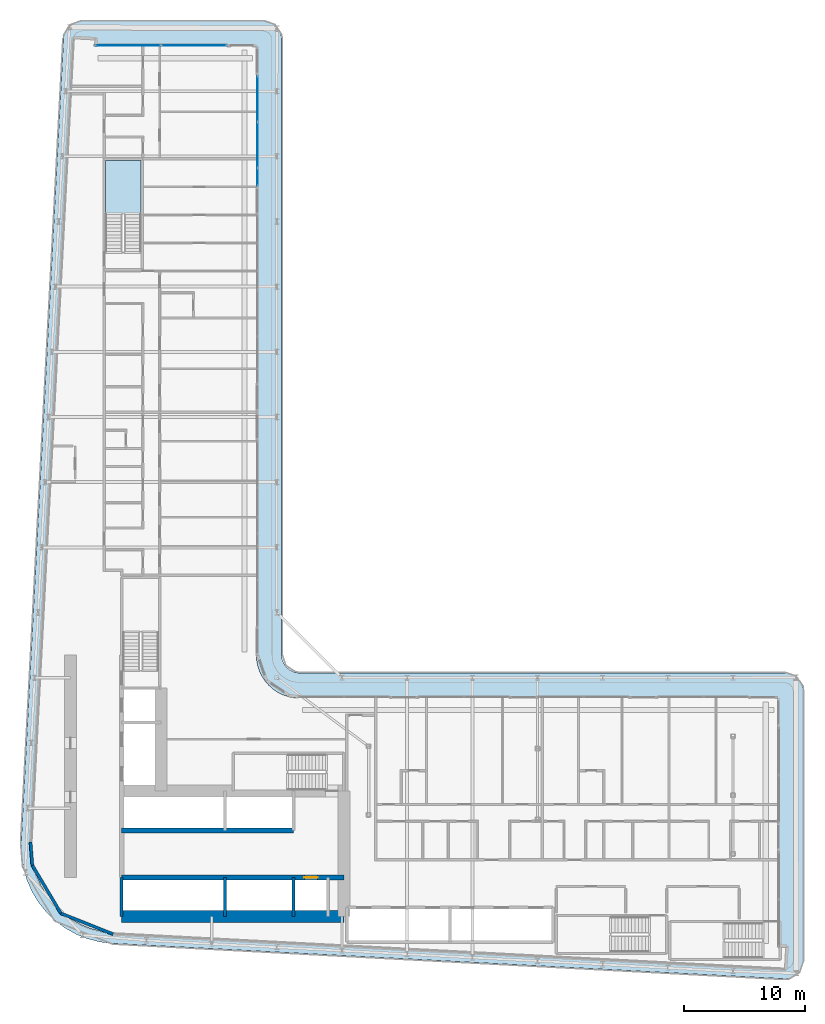
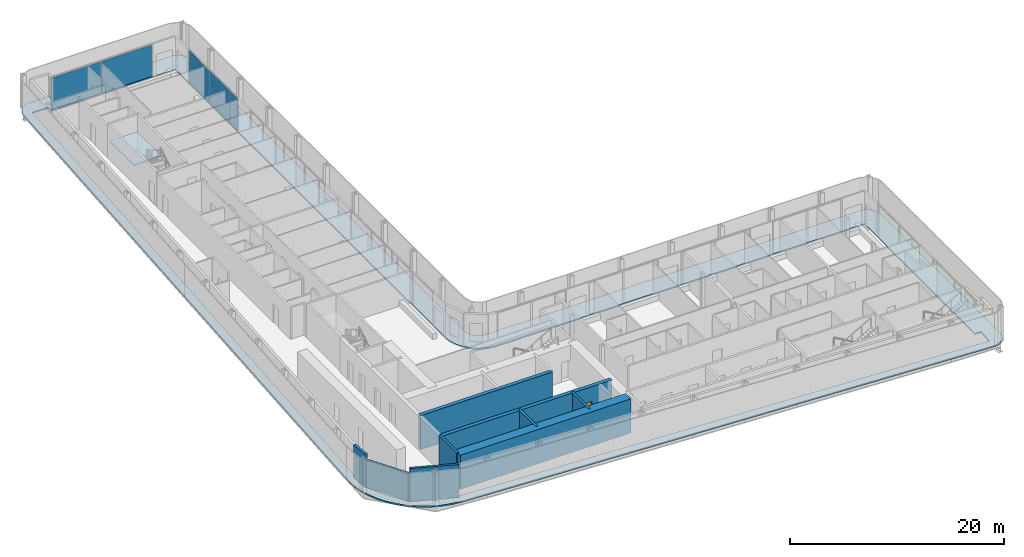
# One storey, part 11 of 25: 9 walls, 5 plates, 2 slabs, 1 door, 1 opening, 4 elements without a shape of their own.
"""IFC4 building model written with IfcOpenShell, lengths in metres."""

from ifc_helpers import new_model, si_unit, direction, frame, frame_2d, origin, origin_2d, place, context, subcontext, project, spatial, polyline, rectangle, outline, extrude, source, transform, mapped, material, layer, layer_set, type_object, element, fill, aggregate, save


model = new_model("IFC4")

# Units and contexts
model_context = context("Model", 3, precision=1e-05, world=origin(), true_north=direction((0.0, 1.0)))
body_context = subcontext(model_context, "Body", "Model", "MODEL_VIEW")
ifc_project = project(units=[si_unit("LENGTHUNIT", "METRE"), si_unit("AREAUNIT", "SQUARE_METRE"), si_unit("VOLUMEUNIT", "CUBIC_METRE"), si_unit("PLANEANGLEUNIT", "RADIAN"), si_unit("MASSUNIT", "GRAM", prefix="KILO")], contexts=[model_context])

# Site, building, storey
site_placement = place(None, origin())
site = spatial("IfcSite", under=ifc_project, at=site_placement, CompositionType="ELEMENT")
building_placement = place(site_placement, origin())
building = spatial("IfcBuilding", under=site, at=building_placement, Name="Kheshtan School and Residences Tower", CompositionType="ELEMENT")
storey_placement = place(building_placement, frame((0.0, 0.0, 34.39990234375)))
storey = spatial("IfcBuildingStorey", under=building, at=storey_placement, Name="L07", CompositionType="ELEMENT", Elevation=34.39990234375)

# Curtain wall, plates
ifc_material_1 = material(Name="Clear low-e glass in thermally broken aluminium frame", Category="aluminium")
ifc_layer_1 = layer(ifc_material_1, 0.199951171875)
ifc_layer_set_1 = layer_set([ifc_layer_1], Name="Curtain wall CW-L")
curtain_wall_type = type_object("IfcCurtainWallType", Name="Curtain wall CW-L", PredefinedType="NOTDEFINED", material=ifc_layer_set_1)
curtain_wall_1_placement = place(storey_placement, origin())
curtain_wall_1 = element("IfcCurtainWall", 1, at=curtain_wall_1_placement, inside=storey, type_object=curtain_wall_type, Name="Curtain wall CWL7", PredefinedType="NOTDEFINED")
ifc_layer_2 = layer(ifc_material_1, 0.031982421875)
ifc_layer_set_2 = layer_set([ifc_layer_2], Name="CW-L glass panel")
plate_type = type_object("IfcPlateType", Name="CW-L glass panel", PredefinedType="CURTAIN_PANEL", material=ifc_layer_set_2)
plate_1_placement = place(storey_placement, frame((35.259033203125, 98.0, 0.000244140625), z_axis=(0.0, 0.0, 1.0), x_axis=(1.0, 0.0, 0.0)))
plate_1 = element("IfcPlate", 2, at=plate_1_placement, type_object=plate_type, Name="CWL7 panel 1.1", PredefinedType="CURTAIN_PANEL", context=body_context, shape_type="SweptSolid", body=[
    extrude(rectangle(XDim=5.4140625, YDim=0.031982421875, at=origin_2d()), origin(), (0.0, 0.0, 1.0), 3.6298828125),
])
plate_2_placement = place(storey_placement, frame((40.73291015625, 98.0, 0.000244140625), z_axis=(0.0, 0.0, 1.0), x_axis=(1.0, 0.0, 0.0)))
plate_2 = element("IfcPlate", 3, at=plate_2_placement, type_object=plate_type, Name="CWL7 panel 2.1", PredefinedType="CURTAIN_PANEL", context=body_context, shape_type="SweptSolid", body=[
    extrude(rectangle(XDim=5.4140625, YDim=0.031982421875, at=origin_2d()), origin(), (0.0, 0.0, 1.0), 3.6298828125),
])
aggregate(curtain_wall_1, [plate_1, plate_2])

curtain_wall_2_placement = place(storey_placement, origin())
curtain_wall_2 = element("IfcCurtainWall", 4, at=curtain_wall_2_placement, inside=storey, type_object=curtain_wall_type, Name="Curtain wall CWL8", PredefinedType="NOTDEFINED")
plate_3_placement = place(storey_placement, frame((46.0, 93.5615234375, 0.000244140625), z_axis=(0.0, 0.0, 1.0), x_axis=(0.0, -1.0, 0.0)))
plate_3 = element("IfcPlate", 5, at=plate_3_placement, type_object=plate_type, Name="CWL8 panel 1.1", PredefinedType="CURTAIN_PANEL", context=body_context, shape_type="SweptSolid", body=[
    extrude(rectangle(XDim=3.757080078125, YDim=0.031982421875, at=origin_2d()), origin(), (0.0, 0.0, 1.0), 3.6298828125),
])
plate_4_placement = place(storey_placement, frame((46.0, 89.744384765625, 0.000244140625), z_axis=(0.0, 0.0, 1.0), x_axis=(0.0, -1.0, 0.0)))
plate_4 = element("IfcPlate", 6, at=plate_4_placement, type_object=plate_type, Name="CWL8 panel 2.1", PredefinedType="CURTAIN_PANEL", context=body_context, shape_type="SweptSolid", body=[
    extrude(rectangle(XDim=3.757080078125, YDim=0.031982421875, at=origin_2d()), origin(), (0.0, 0.0, 1.0), 3.6298828125),
])
aggregate(curtain_wall_2, [plate_3, plate_4])

# Curtain wall, plate
curtain_wall_3_placement = place(storey_placement, origin())
curtain_wall_3 = element("IfcCurtainWall", 7, at=curtain_wall_3_placement, inside=storey, type_object=curtain_wall_type, Name="Curtain wall CWL8a", PredefinedType="NOTDEFINED")
plate_5_placement = place(storey_placement, frame((46.0, 87.0859375, 0.000244140625), z_axis=(0.0, 0.0, 1.0), x_axis=(0.0, -1.0, 0.0)))
plate_5 = element("IfcPlate", 8, at=plate_5_placement, type_object=plate_type, Name="CWL8a panel 1.1", PredefinedType="CURTAIN_PANEL", context=body_context, shape_type="SweptSolid", body=[
    extrude(rectangle(XDim=1.43994140625, YDim=0.031982421875, at=origin_2d()), origin(), (0.0, 0.0, 1.0), 3.6298828125),
])
aggregate(curtain_wall_3, [plate_5])

# Slab
ifc_material_2 = material(Name="Concrete C40/50", Category="concrete")
ifc_layer_3 = layer(ifc_material_2, 0.14990234375)
ifc_layer_set_3 = layer_set([ifc_layer_3], Name="Loggia balcony slab 150 Concrete C40/50")
slab_type_1 = type_object("IfcSlabType", Name="Loggia balcony slab 150 Concrete C40/50", PredefinedType="FLOOR", material=ifc_layer_set_3)
slab_1_placement = place(storey_placement, frame((0.0, 0.0, -0.14990234375)))
element("IfcSlab", 9, at=slab_1_placement, inside=storey, type_object=slab_type_1, Name="Loggia balcony slab L07", PredefinedType="FLOOR", context=body_context, shape_type="SweptSolid", body=[
    extrude(outline(polyline([(28.4580078125, 26.222900390625), (28.45703125, 26.222900390625), (28.45703125, 26.22412109375), (28.4560546875, 26.22412109375), (27.81494140625, 27.0390625), (27.281005859375, 27.93798828125), (26.867919921875, 28.89990234375), (26.583984375, 29.89990234375), (26.583984375, 29.906982421875), (26.43408203125, 30.943115234375), (26.419921875, 31.989013671875), (29.925048828125, 98.5791015625), (29.930908203125, 98.626953125), (29.930908203125, 98.6279296875), (29.929931640625, 98.6279296875), (29.929931640625, 98.62890625), (29.928955078125, 98.62890625), (29.928955078125, 98.6298828125), (29.927978515625, 98.6298828125), (29.927978515625, 98.631103515625), (29.927001953125, 98.631103515625), (29.927001953125, 98.632080078125), (29.927001953125, 98.633056640625), (29.945068359375, 98.781005859375), (29.945068359375, 98.783935546875), (29.945068359375, 98.784912109375), (29.946044921875, 98.784912109375), (29.946044921875, 98.785888671875), (29.947021484375, 98.785888671875), (29.947021484375, 98.787109375), (29.947998046875, 98.787109375), (29.948974609375, 98.787109375), (29.948974609375, 98.7880859375), (29.949951171875, 98.7880859375), (29.949951171875, 98.7890625), (29.949951171875, 98.791015625), (30.0029296875, 98.98388671875), (30.083984375, 99.175048828125), (30.18896484375, 99.35302734375), (30.31103515625, 99.507080078125), (30.31201171875, 99.507080078125), (30.31201171875, 99.508056640625), (30.31298828125, 99.508056640625), (30.31298828125, 99.509033203125), (30.31396484375, 99.509033203125), (30.31396484375, 99.510009765625), (30.31494140625, 99.510009765625), (30.31494140625, 99.510986328125), (30.31591796875, 99.510986328125), (30.31591796875, 99.511962890625), (30.31689453125, 99.511962890625), (30.31689453125, 99.512939453125), (30.318115234375, 99.512939453125), (30.321044921875, 99.512939453125), (30.322021484375, 99.512939453125), (30.322021484375, 99.513916015625), (30.468017578125, 99.656982421875), (30.468994140625, 99.656982421875), (30.468994140625, 99.657958984375), (30.469970703125, 99.657958984375), (30.469970703125, 99.658935546875), (30.470947265625, 99.658935546875), (30.470947265625, 99.659912109375), (30.471923828125, 99.659912109375), (30.471923828125, 99.660888671875), (30.472900390625, 99.660888671875), (30.472900390625, 99.662109375), (30.47412109375, 99.662109375), (30.47412109375, 99.6630859375), (30.47509765625, 99.6630859375), (30.47509765625, 99.6640625), (30.635986328125, 99.777099609375), (30.820068359375, 99.873046875), (31.007080078125, 99.943115234375), (31.013916015625, 99.943115234375), (31.217041015625, 99.986083984375), (31.423095703125, 100.0), (46.5, 100.0), (46.696044921875, 99.987060546875), (46.887939453125, 99.948974609375), (46.89501953125, 99.948974609375), (47.073974609375, 99.885986328125), (47.242919921875, 99.801025390625), (47.243896484375, 99.801025390625), (47.2470703125, 99.801025390625), (47.248046875, 99.801025390625), (47.248046875, 99.802001953125), (47.2490234375, 99.802001953125), (47.2490234375, 99.802978515625), (47.25, 99.802978515625), (47.2529296875, 99.802978515625), (47.25390625, 99.802978515625), (47.25390625, 99.802001953125), (47.2548828125, 99.802001953125), (47.2548828125, 99.801025390625), (47.256103515625, 99.801025390625), (47.256103515625, 99.800048828125), (47.257080078125, 99.800048828125), (47.257080078125, 99.799072265625), (47.258056640625, 99.799072265625), (47.258056640625, 99.798095703125), (47.412109375, 99.696044921875), (47.4130859375, 99.696044921875), (47.4130859375, 99.695068359375), (47.4140625, 99.695068359375), (47.4140625, 99.694091796875), (47.4140625, 99.68994140625), (47.4140625, 99.68896484375), (47.4150390625, 99.68896484375), (47.4150390625, 99.68798828125), (47.416015625, 99.68798828125), (47.416015625, 99.68701171875), (47.4169921875, 99.68701171875), (47.4169921875, 99.68603515625), (47.554931640625, 99.568115234375), (47.554931640625, 99.56689453125), (47.555908203125, 99.56689453125), (47.555908203125, 99.56591796875), (47.556884765625, 99.56591796875), (47.556884765625, 99.56494140625), (47.55810546875, 99.56494140625), (47.55810546875, 99.56396484375), (47.55908203125, 99.56396484375), (47.55908203125, 99.56298828125), (47.56005859375, 99.56298828125), (47.56005859375, 99.56201171875), (47.56103515625, 99.56201171875), (47.56201171875, 99.56103515625), (47.56201171875, 99.56005859375), (47.56298828125, 99.56005859375), (47.56298828125, 99.55908203125), (47.56396484375, 99.55908203125), (47.56396484375, 99.55810546875), (47.56494140625, 99.55810546875), (47.56494140625, 99.556884765625), (47.56591796875, 99.556884765625), (47.56591796875, 99.555908203125), (47.56689453125, 99.555908203125), (47.56689453125, 99.554931640625), (47.568115234375, 99.554931640625), (47.68505859375, 99.41796875), (47.68603515625, 99.41796875), (47.68603515625, 99.4169921875), (47.68701171875, 99.4169921875), (47.68701171875, 99.416015625), (47.68798828125, 99.416015625), (47.68798828125, 99.4150390625), (47.68896484375, 99.4150390625), (47.68896484375, 99.4140625), (47.68994140625, 99.4140625), (47.694091796875, 99.4140625), (47.695068359375, 99.4140625), (47.695068359375, 99.4130859375), (47.696044921875, 99.4130859375), (47.696044921875, 99.412109375), (47.797119140625, 99.259033203125), (47.798095703125, 99.259033203125), (47.798095703125, 99.258056640625), (47.799072265625, 99.258056640625), (47.799072265625, 99.257080078125), (47.800048828125, 99.257080078125), (47.800048828125, 99.256103515625), (47.801025390625, 99.256103515625), (47.801025390625, 99.2548828125), (47.802001953125, 99.2548828125), (47.802001953125, 99.25390625), (47.802978515625, 99.25390625), (47.802978515625, 99.2529296875), (47.802978515625, 99.25), (47.802978515625, 99.2490234375), (47.802001953125, 99.2490234375), (47.802001953125, 99.248046875), (47.801025390625, 99.248046875), (47.801025390625, 99.2470703125), (47.801025390625, 99.242919921875), (47.801025390625, 99.241943359375), (47.885986328125, 99.073974609375), (47.948974609375, 98.89501953125), (47.948974609375, 98.887939453125), (47.987060546875, 98.696044921875), (48.0, 98.5), (48.0, 47.5), (48.012939453125, 47.303955078125), (48.051025390625, 47.113037109375), (48.051025390625, 47.10693359375), (48.051025390625, 47.10595703125), (48.114013671875, 46.926025390625), (48.200927734375, 46.75), (48.31005859375, 46.5869140625), (48.431884765625, 46.444091796875), (48.43310546875, 46.444091796875), (48.43310546875, 46.443115234375), (48.43408203125, 46.443115234375), (48.43408203125, 46.44189453125), (48.43505859375, 46.44189453125), (48.43505859375, 46.44091796875), (48.43603515625, 46.44091796875), (48.43603515625, 46.43994140625), (48.43701171875, 46.43994140625), (48.43701171875, 46.43896484375), (48.43798828125, 46.43896484375), (48.43896484375, 46.43798828125), (48.43896484375, 46.43701171875), (48.43994140625, 46.43701171875), (48.43994140625, 46.43603515625), (48.44091796875, 46.43603515625), (48.44091796875, 46.43505859375), (48.44189453125, 46.43505859375), (48.44189453125, 46.43408203125), (48.443115234375, 46.43408203125), (48.443115234375, 46.43310546875), (48.444091796875, 46.43310546875), (48.444091796875, 46.431884765625), (48.5869140625, 46.31005859375), (48.75, 46.200927734375), (48.926025390625, 46.114013671875), (49.10595703125, 46.051025390625), (49.10693359375, 46.051025390625), (49.113037109375, 46.051025390625), (49.303955078125, 46.012939453125), (49.5, 46.0), (89.699951171875, 46.0), (89.89599609375, 45.987060546875), (90.087890625, 45.948974609375), (90.094970703125, 45.948974609375), (90.27392578125, 45.885986328125), (90.44189453125, 45.801025390625), (90.443115234375, 45.801025390625), (90.447021484375, 45.801025390625), (90.447998046875, 45.801025390625), (90.447998046875, 45.802001953125), (90.448974609375, 45.802001953125), (90.448974609375, 45.802978515625), (90.449951171875, 45.802978515625), (90.452880859375, 45.802978515625), (90.4541015625, 45.802978515625), (90.4541015625, 45.802001953125), (90.455078125, 45.802001953125), (90.455078125, 45.801025390625), (90.4560546875, 45.801025390625), (90.4560546875, 45.800048828125), (90.45703125, 45.800048828125), (90.45703125, 45.799072265625), (90.4580078125, 45.799072265625), (90.4580078125, 45.798095703125), (90.458984375, 45.798095703125), (90.458984375, 45.797119140625), (90.4599609375, 45.797119140625), (90.4599609375, 45.7958984375), (90.612060546875, 45.696044921875), (90.613037109375, 45.696044921875), (90.613037109375, 45.695068359375), (90.614013671875, 45.695068359375), (90.614013671875, 45.694091796875), (90.614013671875, 45.68994140625), (90.614013671875, 45.68896484375), (90.614990234375, 45.68896484375), (90.614990234375, 45.68798828125), (90.615966796875, 45.68798828125), (90.615966796875, 45.68701171875), (90.616943359375, 45.68701171875), (90.616943359375, 45.68603515625), (90.617919921875, 45.68603515625), (90.617919921875, 45.68505859375), (90.618896484375, 45.68505859375), (90.618896484375, 45.68408203125), (90.7548828125, 45.568115234375), (90.7548828125, 45.56689453125), (90.756103515625, 45.56689453125), (90.756103515625, 45.56591796875), (90.757080078125, 45.56591796875), (90.757080078125, 45.56494140625), (90.758056640625, 45.56494140625), (90.758056640625, 45.56396484375), (90.759033203125, 45.56396484375), (90.759033203125, 45.56298828125), (90.760009765625, 45.56298828125), (90.760009765625, 45.56201171875), (90.760986328125, 45.56201171875), (90.761962890625, 45.56103515625), (90.761962890625, 45.56005859375), (90.762939453125, 45.56005859375), (90.762939453125, 45.55908203125), (90.763916015625, 45.55908203125), (90.763916015625, 45.55810546875), (90.764892578125, 45.55810546875), (90.764892578125, 45.556884765625), (90.76611328125, 45.556884765625), (90.76611328125, 45.555908203125), (90.76708984375, 45.555908203125), (90.76708984375, 45.554931640625), (90.76806640625, 45.554931640625), (90.882080078125, 45.4208984375), (90.883056640625, 45.4208984375), (90.883056640625, 45.419921875), (90.884033203125, 45.419921875), (90.884033203125, 45.4189453125), (90.885009765625, 45.4189453125), (90.885009765625, 45.41796875), (90.885986328125, 45.41796875), (90.885986328125, 45.4169921875), (90.886962890625, 45.4169921875), (90.886962890625, 45.416015625), (90.887939453125, 45.416015625), (90.887939453125, 45.4150390625), (90.888916015625, 45.4150390625), (90.888916015625, 45.4140625), (90.889892578125, 45.4140625), (90.89404296875, 45.4140625), (90.89501953125, 45.4140625), (90.89501953125, 45.4130859375), (90.89599609375, 45.4130859375), (90.89599609375, 45.412109375), (90.993896484375, 45.261962890625), (90.9951171875, 45.261962890625), (90.9951171875, 45.260986328125), (90.99609375, 45.260986328125), (90.99609375, 45.260009765625), (90.9970703125, 45.260009765625), (90.9970703125, 45.259033203125), (90.998046875, 45.259033203125), (90.998046875, 45.258056640625), (90.9990234375, 45.258056640625), (90.9990234375, 45.257080078125), (91.0, 45.257080078125), (91.0, 45.256103515625), (91.0009765625, 45.256103515625), (91.0009765625, 45.2548828125), (91.001953125, 45.2548828125), (91.001953125, 45.25390625), (91.0029296875, 45.25390625), (91.0029296875, 45.2529296875), (91.0029296875, 45.25), (91.0029296875, 45.2490234375), (91.001953125, 45.2490234375), (91.001953125, 45.248046875), (91.0009765625, 45.248046875), (91.0009765625, 45.2470703125), (91.0009765625, 45.240966796875), (91.0009765625, 45.239990234375), (91.0859375, 45.073974609375), (91.14892578125, 44.89501953125), (91.14892578125, 44.887939453125), (91.18701171875, 44.696044921875), (91.199951171875, 44.5), (91.199951171875, 22.14892578125), (91.18603515625, 21.947021484375), (91.14501953125, 21.7490234375), (91.14501953125, 21.741943359375), (91.077880859375, 21.556884765625), (90.986083984375, 21.376953125), (90.87109375, 21.2109375), (90.87109375, 21.2099609375), (90.87109375, 21.208984375), (90.87109375, 21.2080078125), (90.8720703125, 21.2080078125), (90.8720703125, 21.20703125), (90.8720703125, 21.205078125), (90.8720703125, 21.2041015625), (90.87109375, 21.2041015625), (90.87109375, 21.202880859375), (90.738037109375, 21.06005859375), (90.735107421875, 21.056884765625), (90.73388671875, 21.056884765625), (90.73388671875, 21.055908203125), (90.73291015625, 21.055908203125), (90.73095703125, 21.055908203125), (90.72998046875, 21.055908203125), (90.72998046875, 21.056884765625), (90.72900390625, 21.056884765625), (90.72802734375, 21.056884765625), (90.72705078125, 21.056884765625), (90.575927734375, 20.931884765625), (90.404052734375, 20.824951171875), (90.218994140625, 20.741943359375), (90.031005859375, 20.68505859375), (90.02392578125, 20.68505859375), (89.823974609375, 20.655029296875), (89.62109375, 20.652099609375), (33.989013671875, 23.580078125), (33.94189453125, 23.5859375), (33.94091796875, 23.5859375), (33.93994140625, 23.5859375), (33.93994140625, 23.5849609375), (33.93896484375, 23.5849609375), (33.93896484375, 23.583984375), (33.93798828125, 23.583984375), (33.93798828125, 23.5830078125), (33.93701171875, 23.5830078125), (33.93701171875, 23.58203125), (33.93603515625, 23.58203125), (33.93505859375, 23.58203125), (32.952880859375, 23.697998046875), (32.949951171875, 23.697998046875), (32.948974609375, 23.697998046875), (32.948974609375, 23.698974609375), (32.947998046875, 23.698974609375), (32.947998046875, 23.699951171875), (32.947021484375, 23.699951171875), (32.947021484375, 23.700927734375), (32.947021484375, 23.702880859375), (32.947021484375, 23.7041015625), (32.946044921875, 23.7041015625), (32.946044921875, 23.705078125), (32.945068359375, 23.705078125), (32.944091796875, 23.705078125), (31.93603515625, 23.9609375), (31.928955078125, 23.9609375), (30.964111328125, 24.34912109375), (30.051025390625, 24.860107421875), (29.218994140625, 25.47900390625), (29.218994140625, 25.47998046875), (29.218017578125, 25.47998046875), (29.218017578125, 25.48095703125), (29.217041015625, 25.48095703125), (29.217041015625, 25.48193359375), (29.216064453125, 25.48193359375), (29.216064453125, 25.48291015625), (29.215087890625, 25.48291015625), (29.215087890625, 25.48388671875), (29.214111328125, 25.48388671875), (29.214111328125, 25.485107421875), (29.212890625, 25.485107421875), (29.212890625, 25.486083984375), (29.2119140625, 25.486083984375), (28.467041015625, 26.217041015625), (28.467041015625, 26.218017578125), (28.466064453125, 26.218017578125), (28.462890625, 26.218017578125), (28.4619140625, 26.218017578125), (28.4619140625, 26.218994140625), (28.4609375, 26.218994140625), (28.4609375, 26.219970703125), (28.4599609375, 26.219970703125), (28.4599609375, 26.220947265625), (28.458984375, 26.220947265625), (28.458984375, 26.221923828125), (28.4580078125, 26.221923828125), (28.4580078125, 26.222900390625)]), holes=[polyline([(29.12890625, 26.824951171875), (29.12890625, 26.823974609375), (29.1298828125, 26.823974609375), (29.1298828125, 26.822998046875), (29.131103515625, 26.822998046875), (29.131103515625, 26.822021484375), (29.132080078125, 26.822021484375), (29.132080078125, 26.821044921875), (29.133056640625, 26.821044921875), (29.133056640625, 26.820068359375), (29.134033203125, 26.820068359375), (29.7939453125, 26.173095703125), (29.7939453125, 26.172119140625), (29.794921875, 26.172119140625), (29.798095703125, 26.172119140625), (29.799072265625, 26.172119140625), (29.799072265625, 26.1708984375), (29.800048828125, 26.1708984375), (29.800048828125, 26.169921875), (29.801025390625, 26.169921875), (29.801025390625, 26.1689453125), (29.802001953125, 26.1689453125), (29.802001953125, 26.16796875), (29.802978515625, 26.16796875), (29.802978515625, 26.1669921875), (29.803955078125, 26.1669921875), (29.803955078125, 26.166015625), (30.541015625, 25.616943359375), (31.35205078125, 25.1630859375), (32.208984375, 24.819091796875), (32.2099609375, 24.819091796875), (32.216064453125, 24.819091796875), (33.114990234375, 24.590087890625), (34.06591796875, 24.47705078125), (89.637939453125, 21.552001953125), (89.6650390625, 21.552978515625), (89.666015625, 21.552978515625), (89.6669921875, 21.552978515625), (89.6669921875, 21.553955078125), (89.66796875, 21.553955078125), (89.66796875, 21.554931640625), (89.66796875, 21.555908203125), (89.758056640625, 23.2451171875), (89.758056640625, 23.24609375), (89.758056640625, 23.2470703125), (89.757080078125, 23.2470703125), (89.757080078125, 23.248046875), (89.756103515625, 23.248046875), (89.7548828125, 23.248046875), (89.10107421875, 23.282958984375), (89.10009765625, 23.282958984375), (89.10009765625, 23.283935546875), (89.10009765625, 43.89794921875), (89.10009765625, 43.89892578125), (89.09912109375, 43.89892578125), (89.09912109375, 43.89990234375), (89.097900390625, 43.89990234375), (49.429931640625, 43.89990234375), (49.030029296875, 43.927001953125), (48.569091796875, 44.01806640625), (48.56201171875, 44.01806640625), (48.1201171875, 44.169921875), (47.697021484375, 44.37890625), (47.30810546875, 44.638916015625), (46.95703125, 44.944091796875), (46.95703125, 44.945068359375), (46.9560546875, 44.945068359375), (46.9560546875, 44.946044921875), (46.955078125, 44.946044921875), (46.955078125, 44.947021484375), (46.9541015625, 44.947021484375), (46.9541015625, 44.947998046875), (46.952880859375, 44.947998046875), (46.952880859375, 44.948974609375), (46.951904296875, 44.948974609375), (46.951904296875, 44.949951171875), (46.951904296875, 44.950927734375), (46.950927734375, 44.950927734375), (46.950927734375, 44.951904296875), (46.949951171875, 44.951904296875), (46.948974609375, 44.951904296875), (46.948974609375, 44.952880859375), (46.947998046875, 44.952880859375), (46.947998046875, 44.9541015625), (46.947021484375, 44.9541015625), (46.947021484375, 44.955078125), (46.946044921875, 44.955078125), (46.946044921875, 44.9560546875), (46.945068359375, 44.9560546875), (46.945068359375, 44.95703125), (46.944091796875, 44.95703125), (46.638916015625, 45.30810546875), (46.37890625, 45.697021484375), (46.169921875, 46.1201171875), (46.01806640625, 46.56201171875), (46.01806640625, 46.569091796875), (45.927001953125, 47.030029296875), (45.89990234375, 47.429931640625), (45.89990234375, 97.89794921875), (45.89990234375, 97.89892578125), (45.89892578125, 97.89892578125), (45.89892578125, 97.89990234375), (45.89794921875, 97.89990234375), (32.492919921875, 97.89990234375), (32.491943359375, 97.89990234375), (32.52099609375, 98.43896484375), (32.52099609375, 98.43994140625), (32.52099609375, 98.44091796875), (32.52001953125, 98.44091796875), (32.52001953125, 98.44189453125), (32.51904296875, 98.44189453125), (32.51806640625, 98.44189453125), (30.8291015625, 98.531982421875), (30.827880859375, 98.531982421875), (30.826904296875, 98.531982421875), (30.826904296875, 98.531005859375), (30.825927734375, 98.531005859375), (30.825927734375, 98.530029296875), (30.825927734375, 98.529052734375), (30.822021484375, 98.5009765625), (27.320068359375, 31.970947265625), (27.3330078125, 31.013916015625), (27.466064453125, 30.093994140625), (27.466064453125, 30.087890625), (27.466064453125, 30.0869140625), (27.718017578125, 29.200927734375), (28.0849609375, 28.345947265625), (28.55908203125, 27.550048828125), (29.126953125, 26.825927734375), (29.1279296875, 26.825927734375), (29.1279296875, 26.824951171875), (29.12890625, 26.824951171875)])]), origin(), (0.0, 0.0, 1.0), 0.14990234375),
])

# Stair, slab
stair_type = type_object("IfcStairType", Name="Exit stair, half-turn", PredefinedType="HALF_TURN_STAIR", material=ifc_material_2)
stair_placement = place(storey_placement, origin())
stair = element("IfcStair", 10, at=stair_placement, inside=storey, type_object=stair_type, Name="L07 Protected Exit Stair ST3", PredefinedType="HALF_TURN_STAIR")
ifc_layer_4 = layer(ifc_material_2, 0.199951171875)
ifc_layer_set_4 = layer_set([ifc_layer_4], Name="Stair landing 200 Concrete C40/50")
slab_type_2 = type_object("IfcSlabType", Name="Stair landing 200 Concrete C40/50", PredefinedType="LANDING", material=ifc_layer_set_4)
slab_2_placement = place(storey_placement, frame((0.0, 0.0, 1.75)))
slab_2 = element("IfcSlab", 11, at=slab_2_placement, type_object=slab_type_2, Name="ST3 landing 1", PredefinedType="LANDING", context=body_context, shape_type="SweptSolid", body=[
    extrude(outline(polyline([(36.35009765625, 83.97998046875), (36.35009765625, 88.4599609375), (33.39990234375, 88.4599609375), (33.39990234375, 83.97998046875), (36.35009765625, 83.97998046875)])), origin(), (0.0, 0.0, 1.0), 0.2001953125),
])
aggregate(stair, [slab_2])

# Wall
ifc_material_3 = material(Name="Concrete C80/95", Category="concrete")
ifc_layer_5 = layer(ifc_material_3, 1.0)
ifc_layer_set_5 = layer_set([ifc_layer_5], Name="Core wall 1000 Concrete C80/95")
wall_type_1 = type_object("IfcWallType", Name="Core wall 1000 Concrete C80/95", PredefinedType="SHEAR", material=ifc_layer_set_5)
wall_1_placement = place(storey_placement, frame((34.75, 25.800048828125, 0.0), z_axis=(0.0, 0.0, 1.0), x_axis=(1.0, 0.0, 0.0)))
element("IfcWall", 12, at=wall_1_placement, inside=storey, type_object=wall_type_1, Name="Core wall CW-REAR-S", PredefinedType="SHEAR", context=body_context, shape_type="SweptSolid", body=[
    extrude(rectangle(XDim=18.39990234375, YDim=1.0, at=frame_2d((9.199951171875, 0.0))), origin(), (0.0, 0.0, 1.0), 3.900146484375),
])

# Wall, opening, door
ifc_material_4 = material(Name="Concrete C50/60", Category="concrete")
ifc_layer_6 = layer(ifc_material_4, 0.39990234375)
ifc_layer_set_6 = layer_set([ifc_layer_6], Name="Core wall 400 Concrete C50/60")
wall_type_2 = type_object("IfcWallType", Name="Core wall 400 Concrete C50/60", PredefinedType="SHEAR", material=ifc_layer_set_6)
wall_2_placement = place(storey_placement, frame((34.75, 29.050048828125, 0.0), z_axis=(0.0, 0.0, 1.0), x_axis=(1.0, 0.0, 0.0)))
wall_2 = element("IfcWall", 13, at=wall_2_placement, inside=storey, type_object=wall_type_2, Name="Core wall CW-HALL-S1", PredefinedType="SHEAR", context=body_context, shape_type="SweptSolid", body=[
    extrude(rectangle(XDim=18.39990234375, YDim=0.39990234375, at=frame_2d((9.199951171875, 0.0))), origin(), (0.0, 0.0, 1.0), 3.900146484375),
])
opening_placement = place(wall_2_placement, frame((15.125, 0.0, 0.0)))
opening = element("IfcOpeningElement", 14, at=opening_placement, cuts=wall_2, Name="Opening LD", PredefinedType="OPENING", context=body_context, shape_type="SweptSolid", body=[
    extrude(rectangle(XDim=1.10009765625, YDim=2.199951171875, at=frame_2d((0.550048828125, 1.10009765625))), frame((0.0, 0.2099609375, 0.0), z_axis=(0.0, -1.0, 0.0), x_axis=(1.0, 0.0, 0.0)), (0.0, 0.0, 1.0), 0.419921875),
])
ifc_material_5 = material(Name="Stainless steel door leaves", Category="steel")
door_type = type_object("IfcDoorType", Name="Lift landing door 1100", OperationType="SLIDING_TO_LEFT", PredefinedType="DOOR", material=ifc_material_5)
shared_shape = source(origin(), body_context, "Body", "SweptSolid", [
    extrude(rectangle(XDim=1.10009765625, YDim=2.199951171875, at=frame_2d((0.550048828125, 1.10009765625))), frame((0.0, 0.02490234375, 0.0), z_axis=(0.0, -1.0, 0.0), x_axis=(1.0, 0.0, 0.0)), (0.0, 0.0, 1.0), 0.050048828125),
])
door_placement = place(opening_placement, origin())
door = element("IfcDoor", 15, at=door_placement, inside=storey, type_object=door_type, Name="Lift FFL2 landing door", OperationType="SLIDING_TO_LEFT", OverallHeight=2.199951171875, OverallWidth=1.10009765625, PredefinedType="DOOR", context=body_context, shape_type="MappedRepresentation", body=[
    mapped(shared_shape, transform((0.0, 0.0, 0.0), x_axis=(1.0, 0.0, 0.0), y_axis=(0.0, 1.0, 0.0), z_axis=(0.0, 0.0, 1.0), scale=1.0)),
])
fill(opening, door)

# Walls
wall_3_placement = place(storey_placement, frame((34.75, 32.949951171875, 0.0), z_axis=(0.0, 0.0, 1.0), x_axis=(1.0, 0.0, 0.0)))
element("IfcWall", 16, at=wall_3_placement, inside=storey, type_object=wall_type_2, Name="Core wall CW-HALL-S2", PredefinedType="SHEAR", context=body_context, shape_type="SweptSolid", body=[
    extrude(rectangle(XDim=14.25, YDim=0.39990234375, at=frame_2d((7.125, 0.0))), origin(), (0.0, 0.0, 1.0), 3.900146484375),
])
ifc_material_6 = material(Name="Concrete C40/50 with ceramic cladding and mineral wool insulation", Category="concrete")
ifc_layer_7 = layer(ifc_material_6, 0.25)
ifc_layer_set_7 = layer_set([ifc_layer_7], Name="External wall 250 ceramic clad")
wall_type_3 = type_object("IfcWallType", Name="External wall 250 ceramic clad", PredefinedType="SOLIDWALL", material=ifc_layer_set_7)
wall_4_placement = place(storey_placement, frame((34.0390625, 24.35302734375, 0.0), z_axis=(0.0, 0.0, 1.0), x_axis=(-0.929352825399, 0.369192803184, 0.0)))
element("IfcWall", 17, at=wall_4_placement, inside=storey, type_object=wall_type_3, Name="External wall L07 1", PredefinedType="SOLIDWALL", context=body_context, shape_type="SweptSolid", body=[
    extrude(rectangle(XDim=4.656005859375, YDim=0.25, at=frame_2d((2.328125, 0.0))), origin(), (0.0, 0.0, 1.0), 3.75),
])
wall_5_placement = place(storey_placement, frame((29.7119140625, 26.072021484375, 0.0), z_axis=(0.0, 0.0, 1.0), x_axis=(-0.511028049012, 0.859564036662, 0.0)))
element("IfcWall", 18, at=wall_5_placement, inside=storey, type_object=wall_type_3, Name="External wall L07 2", PredefinedType="SOLIDWALL", context=body_context, shape_type="SweptSolid", body=[
    extrude(rectangle(XDim=4.633544921875, YDim=0.25, at=frame_2d((2.31689453125, 0.0))), origin(), (0.0, 0.0, 1.0), 3.133056640625),
])
wall_6_placement = place(storey_placement, frame((27.343994140625, 30.054931640625, 0.0), z_axis=(0.0, 0.0, 1.0), x_axis=(-0.077571675317, 0.99698677784, 0.0)))
element("IfcWall", 19, at=wall_6_placement, inside=storey, type_object=wall_type_3, Name="External wall L07 3", PredefinedType="SOLIDWALL", context=body_context, shape_type="SweptSolid", body=[
    extrude(rectangle(XDim=1.919921875, YDim=0.25, at=frame_2d((0.9599609375, 0.0))), origin(), (0.0, 0.0, 1.0), 3.75),
])
ifc_material_7 = material(Name="Fire-board shaft wall system")
ifc_layer_8 = layer(ifc_material_7, 0.25)
ifc_layer_set_8 = layer_set([ifc_layer_8], Name="Shaft lining wall 250")
wall_type_4 = type_object("IfcWallType", Name="Shaft lining wall 250", PredefinedType="PARTITIONING", material=ifc_layer_set_8)
for number, where, z_axis, x_axis, name in (
    (20, (34.75, 25.800048828125, 0.0), (0.0, 0.0, 1.0), (0.0, 1.0, 0.0), "Shaft lining wall"),
    (21, (43.300048828125, 25.800048828125, 0.0), (0.0, 0.0, 1.0), (0.0, 1.0, 0.0), "Shaft lining wall"),
    (22, (49.0, 25.800048828125, 0.0), (0.0, 0.0, 1.0), (0.0, 1.0, 0.0), "Shaft lining wall"),
):
    element("IfcWall", number, at=place(storey_placement, frame(where, z_axis=z_axis, x_axis=x_axis)), inside=storey, type_object=wall_type_4, Name=name, PredefinedType="PARTITIONING", context=body_context, shape_type="SweptSolid", body=[
        extrude(rectangle(XDim=3.25, YDim=0.25, at=frame_2d((1.625, 0.0))), origin(), (0.0, 0.0, 1.0), 3.900146484375),
    ])

save(model, "model.ifc")
